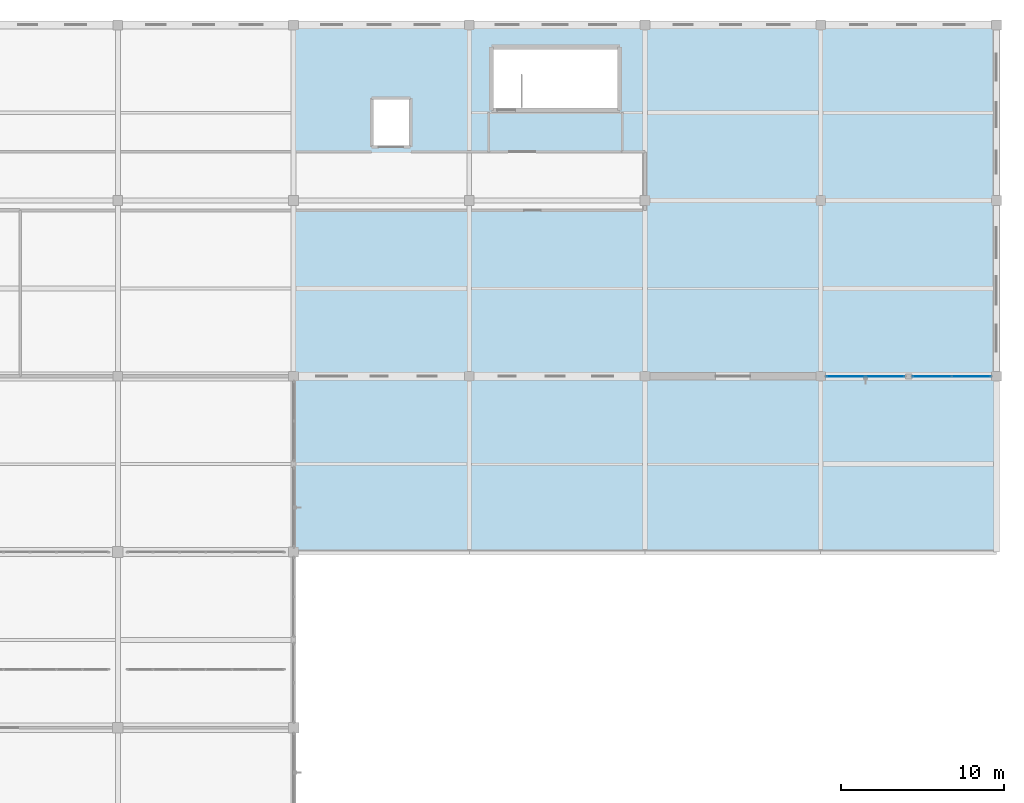
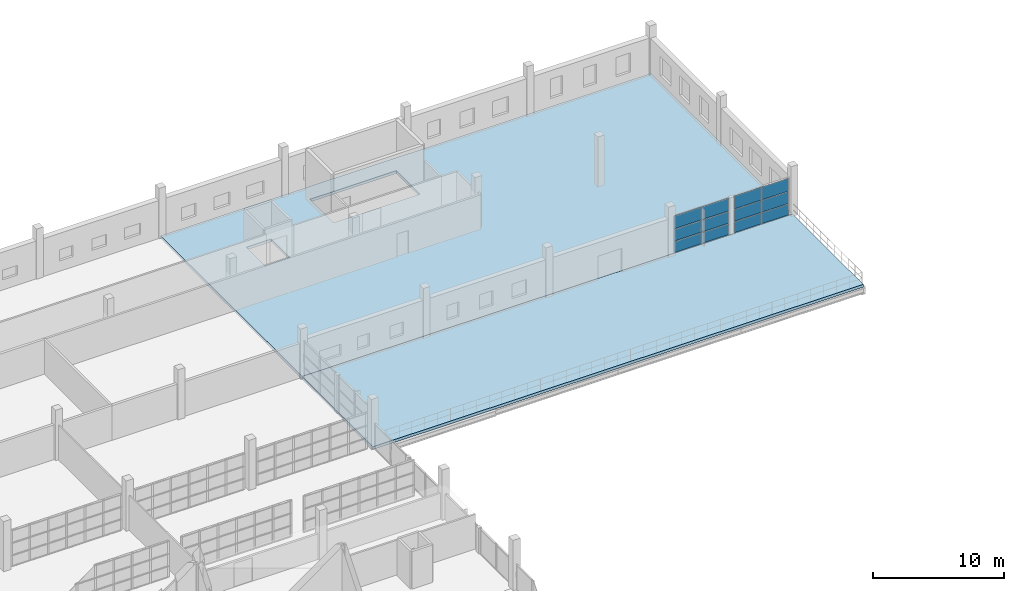
# One storey, part 102 of 142: 12 plates, 2 slabs, 2 elements without a shape of their own.
"""IFC4 building model written with IfcOpenShell, lengths in metres."""

import ifcopenshell
import ifcopenshell.guid

model = None  # the IFC model being written
_history = None  # IfcOwnerHistory: only IFC2X3 demands one
_inside = {}  # id of a spatial element -> (the spatial element, [elements in it])
_under = {}  # id of a project, library or spatial element -> (it, [spatial elements below it])
_declared = {}  # id of a project -> (the project, [libraries it declares])
_typed = {}  # id of a type object -> (the type object, [elements of that type])
_made_of = {}  # id of a material, layer set ... -> (it, [elements and type objects made of it])


def new_model(schema):
    """Start an empty IFC model of exactly this schema.

    Asked for "IFC4X3", IfcOpenShell would pick the latest addendum, in which some entities
    have other attributes; the version numbers below select the first issue.
    IFC2X3 requires an IfcOwnerHistory on every rooted entity: one is made here for all.
    """
    global model, _history
    if schema == "IFC4X3":
        model = ifcopenshell.file(schema_version=(4, 3, 0, 0))
    else:
        model = ifcopenshell.file(schema=schema)
    _inside.clear()
    _under.clear()
    _declared.clear()
    _typed.clear()
    _made_of.clear()
    _history = None
    if model.schema == "IFC2X3":
        org = make("IfcOrganization", Name="unknown")
        user = make(
            "IfcPersonAndOrganization",
            ThePerson=make("IfcPerson", FamilyName="unknown"),
            TheOrganization=org,
        )
        app = make(
            "IfcApplication",
            ApplicationDeveloper=org,
            Version="unknown",
            ApplicationFullName="unknown",
            ApplicationIdentifier="unknown",
        )
        _history = make(
            "IfcOwnerHistory",
            OwningUser=user,
            OwningApplication=app,
            ChangeAction="ADDED",
            CreationDate=0,
        )
    return model


def make(cls, **values):
    """One entity of the class cls with the attributes given. An attribute that is None is left unset."""
    return model.create_entity(
        cls, **{name: value for name, value in values.items() if value is not None}
    )


def rooted(cls, **values):
    """An entity with a GlobalId (a new one), such as an element, a storey or a relation."""
    return make(cls, GlobalId=ifcopenshell.guid.new(), OwnerHistory=_history, **values)


def si_unit(unit_type, name, prefix=None):
    """IfcSIUnit, for example si_unit("LENGTHUNIT", "METRE", prefix="MILLI")."""
    return make("IfcSIUnit", UnitType=unit_type, Prefix=prefix, Name=name)


def assignment(units):
    """IfcUnitAssignment: the units of a project."""
    return None if units is None else make("IfcUnitAssignment", Units=units)


def point(xyz):
    """IfcCartesianPoint."""
    return None if xyz is None else make("IfcCartesianPoint", Coordinates=xyz)


def direction(xyz):
    """IfcDirection."""
    return None if xyz is None else make("IfcDirection", DirectionRatios=xyz)


def frame(location, z_axis=None, x_axis=None):
    """IfcAxis2Placement3D, a coordinate frame: its origin and axes. An axis left out is left unset."""
    return make(
        "IfcAxis2Placement3D",
        Location=point(location),
        Axis=direction(z_axis),
        RefDirection=direction(x_axis),
    )


def frame_2d(location, x_axis=None):
    """IfcAxis2Placement2D, a coordinate frame in the plane: its origin and x axis."""
    return make(
        "IfcAxis2Placement2D", Location=point(location), RefDirection=direction(x_axis)
    )


def origin():
    """The frame at (0, 0, 0) with its axes left unset."""
    return frame((0.0, 0.0, 0.0))


def origin_2d():
    """The frame at (0, 0) in the plane with its x axis left unset."""
    return frame_2d((0.0, 0.0))


def place(relative_to, where):
    """IfcLocalPlacement: puts the frame where relative to a parent placement (None: the world)."""
    return make(
        "IfcLocalPlacement", PlacementRelTo=relative_to, RelativePlacement=where
    )


def context(
    kind, dimensions, precision=None, world=None, true_north=None, identifier=None
):
    """IfcGeometricRepresentationContext, for example the 3D "Model" context."""
    return make(
        "IfcGeometricRepresentationContext",
        ContextIdentifier=identifier,
        ContextType=kind,
        CoordinateSpaceDimension=dimensions,
        Precision=precision,
        WorldCoordinateSystem=world,
        TrueNorth=true_north,
    )


def subcontext(parent, identifier, kind, view, scale=None):
    """IfcGeometricRepresentationSubContext, for example "Body" below "Model"."""
    return make(
        "IfcGeometricRepresentationSubContext",
        ContextIdentifier=identifier,
        ContextType=kind,
        ParentContext=parent,
        TargetScale=scale,
        TargetView=view,
    )


def project(units=None, contexts=None):
    """IfcProject with its units and contexts."""
    return rooted(
        "IfcProject",
        Name="project",
        RepresentationContexts=contexts,
        UnitsInContext=assignment(units),
    )


def spatial(cls, under=None, at=None, **own):
    """A site, building, storey or space (cls), placed at a placement, below another one or the project."""
    s = rooted(cls, ObjectPlacement=at, **own)
    if under is not None:
        _under.setdefault(under.id(), (under, []))[1].append(s)
    return s


def polyline(points):
    """IfcPolyline through the points."""
    return make("IfcPolyline", Points=[point(p) for p in points])


def profile(cls, at=None, kind="AREA", **sizes):
    """A parametric profile (cls). Its sizes go by their IFC names, for example OverallWidth=200.0."""
    return make(cls, ProfileType=kind, Position=at, **sizes)


def rectangle(**sizes):
    """IfcRectangleProfileDef."""
    return profile("IfcRectangleProfileDef", **sizes)


def outline(outer, holes=None, kind="AREA"):
    """IfcArbitraryClosedProfileDef: a profile drawn as a closed curve; with holes, ...WithVoids."""
    if holes is None:
        return make("IfcArbitraryClosedProfileDef", ProfileType=kind, OuterCurve=outer)
    return make(
        "IfcArbitraryProfileDefWithVoids",
        ProfileType=kind,
        OuterCurve=outer,
        InnerCurves=holes,
    )


def extrude(swept, where, along, depth):
    """IfcExtrudedAreaSolid: the profile swept, set in the frame where, extruded along a direction by depth."""
    return make(
        "IfcExtrudedAreaSolid",
        SweptArea=swept,
        Position=where,
        ExtrudedDirection=direction(along),
        Depth=depth,
    )


def shape(context_of_items, identifier, shape_type, items):
    """IfcShapeRepresentation: the items that make up one representation, for example the "Body"."""
    return make(
        "IfcShapeRepresentation",
        ContextOfItems=context_of_items,
        RepresentationIdentifier=identifier,
        RepresentationType=shape_type,
        Items=items,
    )


def material(Name=None, Category=None):
    """IfcMaterial."""
    return make("IfcMaterial", Name=Name, Category=Category)


def layer(
    of_material, thickness, ventilated=None, Name=None, Category=None, Priority=None
):
    """IfcMaterialLayer: one layer of a wall or slab, of a material (None: an air gap)."""
    return make(
        "IfcMaterialLayer",
        Material=of_material,
        LayerThickness=thickness,
        IsVentilated=ventilated,
        Name=Name,
        Category=Category,
        Priority=Priority,
    )


def layer_set(layers, Name=None):
    """IfcMaterialLayerSet."""
    return make("IfcMaterialLayerSet", MaterialLayers=layers, LayerSetName=Name)


def made_of(thing, what):
    """Note that an element or type object is made of a material, layer set ...; save() writes the relation."""
    if what is not None:
        _made_of.setdefault(what.id(), (what, []))[1].append(thing)
    return thing


def type_object(cls, material=None, **own):
    """A type object (cls), such as IfcWallType, which elements share."""
    return made_of(rooted(cls, **own), material)


def element(
    cls,
    number,
    at=None,
    inside=None,
    cuts=None,
    type_object=None,
    material=None,
    context=None,
    identifier="Body",
    shape_type=None,
    held_by="IfcProductDefinitionShape",
    body=None,
    shapes=None,
    **own,
):
    """One element of the class cls, such as IfcWall. Its Tag is "e" and its number.

    at: its placement. inside: the storey or other place that contains it. cuts: it is an
    opening in that element (IfcRelVoidsElement). A single representation is given by context,
    identifier, shape_type and body (its items); several are given by shapes. held_by: the class
    of the entity that holds the representations. save() writes the other relations.
    """
    e = rooted(cls, Tag="e%d" % number, ObjectPlacement=at, **own)
    if body is not None:
        shapes = [shape(context, identifier, shape_type, body)]
    if shapes is not None:
        e.Representation = make(held_by, Representations=shapes)
    if inside is not None:
        _inside.setdefault(inside.id(), (inside, []))[1].append(e)
    if cuts is not None:
        rooted(
            "IfcRelVoidsElement", RelatingBuildingElement=cuts, RelatedOpeningElement=e
        )
    if type_object is not None:
        _typed.setdefault(type_object.id(), (type_object, []))[1].append(e)
    return made_of(e, material)


def aggregate(whole, parts):
    """IfcRelAggregates: a whole, such as a stair, and the parts it consists of."""
    return rooted("IfcRelAggregates", RelatingObject=whole, RelatedObjects=parts)


def save(model, path):
    """Write the relations noted so far, then the file.

    IfcRelAggregates (storeys below a building ...), IfcRelContainedInSpatialStructure (elements
    in a storey), IfcRelDefinesByType, IfcRelAssociatesMaterial and IfcRelDeclares: one each for
    every whole, place, type object, material and project.
    """
    for whole, parts in _under.values():
        aggregate(whole, parts)
    for where, things in _inside.values():
        rooted(
            "IfcRelContainedInSpatialStructure",
            RelatedElements=things,
            RelatingStructure=where,
        )
    for kind, things in _typed.values():
        rooted("IfcRelDefinesByType", RelatedObjects=things, RelatingType=kind)
    for what, things in _made_of.values():
        rooted("IfcRelAssociatesMaterial", RelatedObjects=things, RelatingMaterial=what)
    for by, libraries in _declared.values():
        rooted("IfcRelDeclares", RelatingContext=by, RelatedDefinitions=libraries)
    model.write(path)


model = new_model("IFC4")

# Units and contexts
model_context = context("Model", 3, precision=1e-05, world=origin(), true_north=direction((0.0, 1.0)))
body_context = subcontext(model_context, "Body", "Model", "MODEL_VIEW")
ifc_project = project(units=[si_unit("LENGTHUNIT", "METRE"), si_unit("AREAUNIT", "SQUARE_METRE"), si_unit("VOLUMEUNIT", "CUBIC_METRE"), si_unit("PLANEANGLEUNIT", "RADIAN"), si_unit("MASSUNIT", "GRAM", prefix="KILO")], contexts=[model_context])

# Site, building, storey
site_placement = place(None, origin())
site = spatial("IfcSite", under=ifc_project, at=site_placement, CompositionType="ELEMENT")
building_placement = place(site_placement, origin())
building = spatial("IfcBuilding", under=site, at=building_placement, Name="Zwinboog Wholesale Market", CompositionType="ELEMENT")
storey_placement = place(building_placement, frame((0.0, 0.0, 5.39990234375)))
storey = spatial("IfcBuildingStorey", under=building, at=storey_placement, Name="L01", CompositionType="ELEMENT", Elevation=5.39990234375)

# Slabs
ifc_material_1 = material(Name="Precast concrete C45/55", Category="concrete")
ifc_layer_1 = layer(ifc_material_1, 0.2548828125)
ifc_layer_set_1 = layer_set([ifc_layer_1], Name="Precast concrete C45/55")
slab_type_1 = type_object("IfcSlabType", Name="SLT-FL-255", PredefinedType="FLOOR", material=ifc_layer_set_1)
slab_1_placement = place(storey_placement, frame((0.0, 0.0, -0.2548828125)))
element("IfcSlab", 1, at=slab_1_placement, inside=storey, type_object=slab_type_1, Name="SF-255 (SLB-L01-047)", PredefinedType="FLOOR", context=body_context, shape_type="SweptSolid", body=[
    extrude(outline(polyline([(172.800048828125, 108.0), (216.0, 108.0), (216.0, 129.60009765625), (172.800048828125, 129.60009765625), (172.800048828125, 108.0)]), holes=[polyline([(185.10009765625, 124.5), (192.699951171875, 124.5), (192.699951171875, 128.10009765625), (185.10009765625, 128.10009765625), (185.10009765625, 124.5)]), polyline([(177.699951171875, 122.199951171875), (179.89990234375, 122.199951171875), (179.89990234375, 125.0), (177.699951171875, 125.0), (177.699951171875, 122.199951171875)])]), origin(), (0.0, 0.0, 1.0), 0.2548828125),
])
ifc_material_2 = material(Name="Concrete C40/50", Category="concrete")
ifc_layer_2 = layer(ifc_material_2, 0.261962890625)
ifc_layer_set_2 = layer_set([ifc_layer_2], Name="Concrete C40/50")
slab_type_2 = type_object("IfcSlabType", Name="SLT-EX-262", PredefinedType="FLOOR", material=ifc_layer_set_2)
slab_2_placement = place(storey_placement, frame((0.0, 0.0, -0.261962890625)))
element("IfcSlab", 2, at=slab_2_placement, inside=storey, type_object=slab_type_2, Name="East Cold-Chain Inspection Terrace", PredefinedType="FLOOR", context=body_context, shape_type="SweptSolid", body=[
    extrude(outline(polyline([(172.800048828125, 97.199951171875), (216.0, 97.199951171875), (216.0, 108.0), (172.800048828125, 108.0), (172.800048828125, 97.199951171875)])), origin(), (0.0, 0.0, 1.0), 0.261962890625),
])

# Curtain wall, plates
ifc_material_3 = material(Name="Aluminium thermally broken curtain wall", Category="aluminium")
curtain_wall_type_1 = type_object("IfcCurtainWallType", Name="CWT-HALL-24", PredefinedType="USERDEFINED", material=ifc_material_3)
curtain_wall_1_placement = place(storey_placement, origin())
curtain_wall_1 = element("IfcCurtainWall", 3, at=curtain_wall_1_placement, inside=storey, type_object=curtain_wall_type_1, Name="CW-03 (CW-L01-153)", ObjectType="UNITIZED_CURTAIN_WALL", PredefinedType="USERDEFINED")
ifc_material_4 = material(Name="Double low-e insulated glazing", Category="glass")
ifc_layer_3 = layer(ifc_material_4, 0.031982421875)
ifc_layer_set_3 = layer_set([ifc_layer_3], Name="Double low-e insulated glazing")
plate_type = type_object("IfcPlateType", Name="CWP-IGU-32", PredefinedType="CURTAIN_PANEL", material=ifc_layer_set_3)
plate_1_placement = place(storey_placement, frame((206.737548828125, 108.0, 0.065185546875), z_axis=(0.0, 0.0, 1.0), x_axis=(1.0, 0.0, 0.0)))
plate_1 = element("IfcPlate", 4, at=plate_1_placement, type_object=plate_type, Name="CW-03 panel 1.1", PredefinedType="CURTAIN_PANEL", context=body_context, shape_type="SweptSolid", body=[
    extrude(rectangle(XDim=2.35498046875, YDim=0.031982421875, at=origin_2d()), origin(), (0.0, 0.0, 1.0), 1.00244140625),
])
plate_2_placement = place(storey_placement, frame((206.737548828125, 108.0, 1.132568359375), z_axis=(0.0, 0.0, 1.0), x_axis=(1.0, 0.0, 0.0)))
plate_2 = element("IfcPlate", 5, at=plate_2_placement, type_object=plate_type, Name="CW-03 panel 1.2", PredefinedType="CURTAIN_PANEL", context=body_context, shape_type="SweptSolid", body=[
    extrude(rectangle(XDim=2.35498046875, YDim=0.031982421875, at=origin_2d()), origin(), (0.0, 0.0, 1.0), 1.0849609375),
])
plate_3_placement = place(storey_placement, frame((206.737548828125, 108.0, 2.282470703125), z_axis=(0.0, 0.0, 1.0), x_axis=(1.0, 0.0, 0.0)))
plate_3 = element("IfcPlate", 6, at=plate_3_placement, type_object=plate_type, Name="CW-03 panel 1.3", PredefinedType="CURTAIN_PANEL", context=body_context, shape_type="SweptSolid", body=[
    extrude(rectangle(XDim=2.35498046875, YDim=0.031982421875, at=origin_2d()), origin(), (0.0, 0.0, 1.0), 1.1826171875),
])
plate_4_placement = place(storey_placement, frame((209.157470703125, 108.0, 0.065185546875), z_axis=(0.0, 0.0, 1.0), x_axis=(1.0, 0.0, 0.0)))
plate_4 = element("IfcPlate", 7, at=plate_4_placement, type_object=plate_type, Name="CW-03 panel 2.1", PredefinedType="CURTAIN_PANEL", context=body_context, shape_type="SweptSolid", body=[
    extrude(rectangle(XDim=2.35498046875, YDim=0.031982421875, at=origin_2d()), origin(), (0.0, 0.0, 1.0), 1.00244140625),
])
plate_5_placement = place(storey_placement, frame((209.157470703125, 108.0, 1.132568359375), z_axis=(0.0, 0.0, 1.0), x_axis=(1.0, 0.0, 0.0)))
plate_5 = element("IfcPlate", 8, at=plate_5_placement, type_object=plate_type, Name="CW-03 panel 2.2", PredefinedType="CURTAIN_PANEL", context=body_context, shape_type="SweptSolid", body=[
    extrude(rectangle(XDim=2.35498046875, YDim=0.031982421875, at=origin_2d()), origin(), (0.0, 0.0, 1.0), 1.0849609375),
])
plate_6_placement = place(storey_placement, frame((209.157470703125, 108.0, 2.282470703125), z_axis=(0.0, 0.0, 1.0), x_axis=(1.0, 0.0, 0.0)))
plate_6 = element("IfcPlate", 9, at=plate_6_placement, type_object=plate_type, Name="CW-03 panel 2.3", PredefinedType="CURTAIN_PANEL", context=body_context, shape_type="SweptSolid", body=[
    extrude(rectangle(XDim=2.35498046875, YDim=0.031982421875, at=origin_2d()), origin(), (0.0, 0.0, 1.0), 1.1826171875),
])
aggregate(curtain_wall_1, [plate_1, plate_2, plate_3, plate_4, plate_5, plate_6])

curtain_wall_type_2 = type_object("IfcCurtainWallType", Name="CWT-GAL-16", PredefinedType="USERDEFINED", material=ifc_material_3)
curtain_wall_2_placement = place(storey_placement, origin())
curtain_wall_2 = element("IfcCurtainWall", 10, at=curtain_wall_2_placement, inside=storey, type_object=curtain_wall_type_2, Name="CW-04 (CW-L01-154)", ObjectType="UNITIZED_CURTAIN_WALL", PredefinedType="USERDEFINED")
plate_7_placement = place(storey_placement, frame((212.041259765625, 108.0, 0.06005859375), z_axis=(0.0, 0.0, 1.0), x_axis=(1.0, 0.0, 0.0)))
plate_7 = element("IfcPlate", 11, at=plate_7_placement, type_object=plate_type, Name="CW-04 panel 1.1", PredefinedType="CURTAIN_PANEL", context=body_context, shape_type="SweptSolid", body=[
    extrude(rectangle(XDim=2.362548828125, YDim=0.031982421875, at=origin_2d()), origin(), (0.0, 0.0, 1.0), 1.010009765625),
])
plate_8_placement = place(storey_placement, frame((212.041259765625, 108.0, 1.1298828125), z_axis=(0.0, 0.0, 1.0), x_axis=(1.0, 0.0, 0.0)))
plate_8 = element("IfcPlate", 12, at=plate_8_placement, type_object=plate_type, Name="CW-04 panel 1.2", PredefinedType="CURTAIN_PANEL", context=body_context, shape_type="SweptSolid", body=[
    extrude(rectangle(XDim=2.362548828125, YDim=0.031982421875, at=origin_2d()), origin(), (0.0, 0.0, 1.0), 1.090087890625),
])
plate_9_placement = place(storey_placement, frame((212.041259765625, 108.0, 2.280029296875), z_axis=(0.0, 0.0, 1.0), x_axis=(1.0, 0.0, 0.0)))
plate_9 = element("IfcPlate", 13, at=plate_9_placement, type_object=plate_type, Name="CW-04 panel 1.3", PredefinedType="CURTAIN_PANEL", context=body_context, shape_type="SweptSolid", body=[
    extrude(rectangle(XDim=2.362548828125, YDim=0.031982421875, at=origin_2d()), origin(), (0.0, 0.0, 1.0), 1.18994140625),
])
plate_10_placement = place(storey_placement, frame((214.4638671875, 108.0, 0.06005859375), z_axis=(0.0, 0.0, 1.0), x_axis=(1.0, 0.0, 0.0)))
plate_10 = element("IfcPlate", 14, at=plate_10_placement, type_object=plate_type, Name="CW-04 panel 2.1", PredefinedType="CURTAIN_PANEL", context=body_context, shape_type="SweptSolid", body=[
    extrude(rectangle(XDim=2.362548828125, YDim=0.031982421875, at=origin_2d()), origin(), (0.0, 0.0, 1.0), 1.010009765625),
])
plate_11_placement = place(storey_placement, frame((214.4638671875, 108.0, 1.1298828125), z_axis=(0.0, 0.0, 1.0), x_axis=(1.0, 0.0, 0.0)))
plate_11 = element("IfcPlate", 15, at=plate_11_placement, type_object=plate_type, Name="CW-04 panel 2.2", PredefinedType="CURTAIN_PANEL", context=body_context, shape_type="SweptSolid", body=[
    extrude(rectangle(XDim=2.362548828125, YDim=0.031982421875, at=origin_2d()), origin(), (0.0, 0.0, 1.0), 1.090087890625),
])
plate_12_placement = place(storey_placement, frame((214.4638671875, 108.0, 2.280029296875), z_axis=(0.0, 0.0, 1.0), x_axis=(1.0, 0.0, 0.0)))
plate_12 = element("IfcPlate", 16, at=plate_12_placement, type_object=plate_type, Name="CW-04 panel 2.3", PredefinedType="CURTAIN_PANEL", context=body_context, shape_type="SweptSolid", body=[
    extrude(rectangle(XDim=2.362548828125, YDim=0.031982421875, at=origin_2d()), origin(), (0.0, 0.0, 1.0), 1.18994140625),
])
aggregate(curtain_wall_2, [plate_7, plate_8, plate_9, plate_10, plate_11, plate_12])

save(model, "model.ifc")
